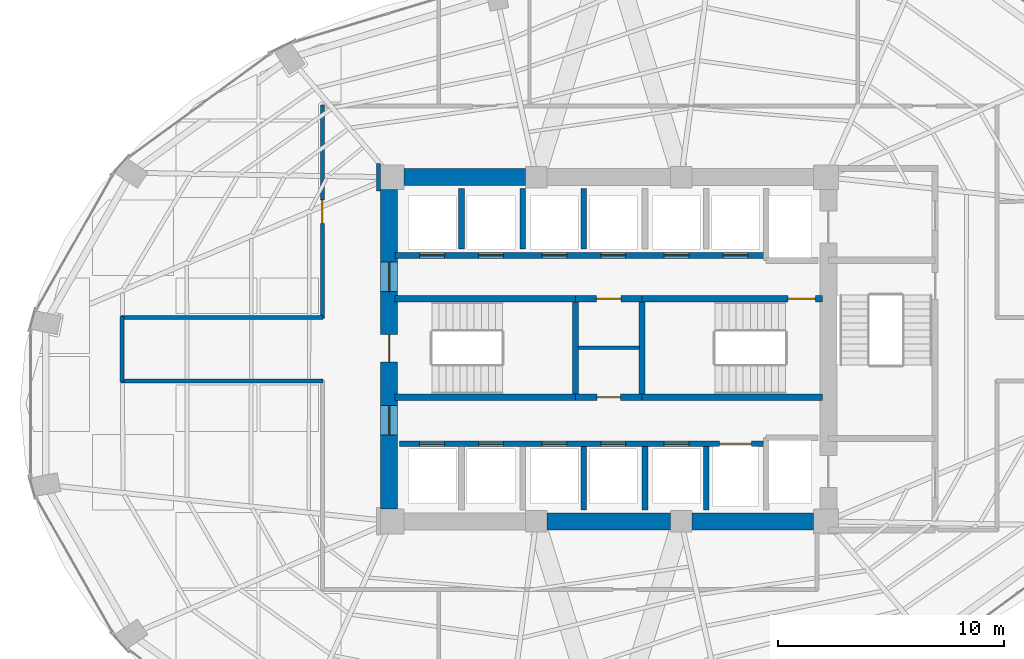
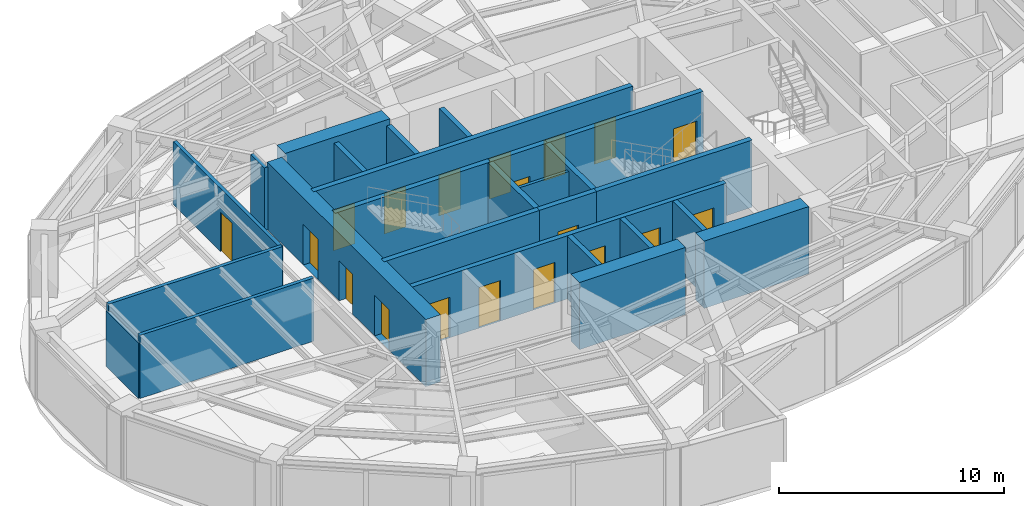
# One storey, part 19 of 23: 26 walls, 19 doors, 19 openings.
"""IFC4 building model written with IfcOpenShell, lengths in metres."""

from ifc_helpers import new_model, si_unit, direction, frame, frame_2d, origin, place, context, subcontext, project, spatial, rectangle, extrude, material, layer, layer_set, type_object, element, fill, save


model = new_model("IFC4")

# Units and contexts
model_context = context("Model", 3, precision=1e-05, world=origin(), true_north=direction((0.0, 1.0)))
body_context = subcontext(model_context, "Body", "Model", "MODEL_VIEW")
ifc_project = project(units=[si_unit("LENGTHUNIT", "METRE"), si_unit("AREAUNIT", "SQUARE_METRE"), si_unit("VOLUMEUNIT", "CUBIC_METRE"), si_unit("PLANEANGLEUNIT", "RADIAN"), si_unit("MASSUNIT", "GRAM", prefix="KILO")], contexts=[model_context])

# Site, building, storey
site_placement = place(None, origin())
site = spatial("IfcSite", under=ifc_project, at=site_placement, CompositionType="ELEMENT")
building_placement = place(site_placement, origin())
building = spatial("IfcBuilding", under=site, at=building_placement, Name="Lazwardi Medical Tower", CompositionType="ELEMENT")
storey_placement = place(building_placement, frame((0.0, 0.0, 125.52001953125)))
storey = spatial("IfcBuildingStorey", under=building, at=storey_placement, Name="L32", CompositionType="ELEMENT", Elevation=125.52001953125)

# Walls
ifc_material_1 = material(Name="Fire-rated gypsum board on steel stud", Category="steel")
ifc_layer_1 = layer(ifc_material_1, 0.179931640625)
ifc_layer_set_1 = layer_set([ifc_layer_1], Name="Fire-rated gypsum board on steel stud")
wall_type_1 = type_object("IfcWallType", Name="WL-COR-180", PredefinedType="PARTITIONING", material=ifc_layer_set_1)
wall_1_placement = place(storey_placement, frame((14.5, 26.56005859375, 0.0), z_axis=(0.0, 0.0, 1.0), x_axis=(0.0, 1.0, 0.0)))
element("IfcWall", 1, at=wall_1_placement, inside=storey, type_object=wall_type_1, Name="L32 Corridor partition 1", PredefinedType="PARTITIONING", context=body_context, shape_type="SweptSolid", body=[
    extrude(rectangle(XDim=2.8798828125, YDim=0.179931640625, at=frame_2d((1.43994140625, 0.0))), origin(), (0.0, 0.0, 1.0), 3.012939453125),
])
wall_2_placement = place(storey_placement, frame((14.4599609375, 29.39990234375, 0.0), z_axis=(0.0, 0.0, 1.0), x_axis=(1.0, 0.0, 0.0)))
element("IfcWall", 2, at=wall_2_placement, inside=storey, type_object=wall_type_1, Name="L32 Corridor partition 2", PredefinedType="PARTITIONING", context=body_context, shape_type="SweptSolid", body=[
    extrude(rectangle(XDim=8.929931640625, YDim=0.179931640625, at=frame_2d((4.46484375, 0.0))), origin(), (0.0, 0.0, 1.0), 3.427978515625),
])

# Wall, opening, door
wall_3_placement = place(storey_placement, frame((23.35009765625, 29.360107421875, 0.0), z_axis=(0.0, 0.0, 1.0), x_axis=(0.0, 1.0, 0.0)))
wall_3 = element("IfcWall", 3, at=wall_3_placement, inside=storey, type_object=wall_type_1, Name="L32 Corridor partition 3", PredefinedType="PARTITIONING", context=body_context, shape_type="SweptSolid", body=[
    extrude(rectangle(XDim=9.429931640625, YDim=0.179931640625, at=frame_2d((4.71484375, 0.0))), origin(), (0.0, 0.0, 1.0), 3.427978515625),
])
opening_1_placement = place(wall_3_placement, frame((4.18994140625, 0.0, 0.0)))
opening_1 = element("IfcOpeningElement", 4, at=opening_1_placement, cuts=wall_3, Name="Opening D-L32-007", PredefinedType="OPENING", context=body_context, shape_type="SweptSolid", body=[
    extrude(rectangle(XDim=1.050048828125, YDim=2.14990234375, at=frame_2d((0.52490234375, 1.074951171875))), frame((0.0, 0.099853515625, 0.0), z_axis=(0.0, -1.0, 0.0), x_axis=(1.0, 0.0, 0.0)), (0.0, 0.0, 1.0), 0.199951171875),
])
ifc_material_2 = material(Name="Anti-microbial laminate hospital leaf")
door_type_1 = type_object("IfcDoorType", Name="DR-CLN-1050", OperationType="NOTDEFINED", PredefinedType="DOOR", material=ifc_material_2)
door_1_placement = place(opening_1_placement, origin())
door_1 = element("IfcDoor", 5, at=door_1_placement, inside=storey, type_object=door_type_1, Name="L32 Medical Duty Staff Room Door 01", OperationType="SINGLE_SWING_LEFT", OverallHeight=2.14990234375, OverallWidth=1.050048828125, PredefinedType="DOOR", context=body_context, shape_type="SweptSolid", body=[
    extrude(rectangle(XDim=1.050048828125, YDim=2.14990234375, at=frame_2d((0.52490234375, 1.074951171875))), frame((0.0, 0.02490234375, 0.0), z_axis=(0.0, -1.0, 0.0), x_axis=(1.0, 0.0, 0.0)), (0.0, 0.0, 1.0), 0.050048828125),
])
fill(opening_1, door_1)

# Walls
wall_4_placement = place(storey_placement, frame((25.830078125, 36.2099609375, 0.0), z_axis=(0.0, 0.0, 1.0), x_axis=(0.0, -1.0, 0.0)))
element("IfcWall", 6, at=wall_4_placement, inside=storey, type_object=wall_type_1, Name="L32 Corridor partition 11", PredefinedType="PARTITIONING", context=body_context, shape_type="SweptSolid", body=[
    extrude(rectangle(XDim=1.219970703125, YDim=0.179931640625, at=frame_2d((0.60986328125, 0.0))), origin(), (0.0, 0.0, 1.0), 3.427978515625),
])
wall_5_placement = place(storey_placement, frame((23.389892578125, 26.60009765625, 0.0), z_axis=(0.0, 0.0, 1.0), x_axis=(-1.0, 0.0, 0.0)))
element("IfcWall", 7, at=wall_5_placement, inside=storey, type_object=wall_type_1, Name="L32 Corridor partition 16", PredefinedType="PARTITIONING", context=body_context, shape_type="SweptSolid", body=[
    extrude(rectangle(XDim=8.929931640625, YDim=0.179931640625, at=frame_2d((4.46484375, 0.0))), origin(), (0.0, 0.0, 1.0), 3.427978515625),
])

# Wall, openings, doors
ifc_material_3 = material(Name="Concrete C70/85", Category="concrete")
ifc_layer_2 = layer(ifc_material_3, 0.75)
ifc_layer_set_2 = layer_set([ifc_layer_2], Name="Concrete C70/85")
wall_type_2 = type_object("IfcWallType", Name="WL-CORE-750", PredefinedType="SHEAR", material=ifc_layer_set_2)
wall_6_placement = place(storey_placement, frame((26.300048828125, 20.949951171875, 0.0), z_axis=(0.0, 0.0, 1.0), x_axis=(0.0, 1.0, 0.0)))
wall_6 = element("IfcWall", 8, at=wall_6_placement, inside=storey, type_object=wall_type_2, Name="Core wall CW-S2 west L32", PredefinedType="SHEAR", context=body_context, shape_type="SweptSolid", body=[
    extrude(rectangle(XDim=14.10009765625, YDim=0.75, at=frame_2d((7.050048828125, 0.0))), origin(), (0.0, 0.0, 1.0), 3.64794921875),
])
opening_2_placement = place(wall_6_placement, frame((6.5, 0.0, 0.0)))
opening_2 = element("IfcOpeningElement", 9, at=opening_2_placement, cuts=wall_6, Name="Opening D-L32-012", PredefinedType="OPENING", context=body_context, shape_type="SweptSolid", body=[
    extrude(rectangle(XDim=1.199951171875, YDim=2.14990234375, at=frame_2d((0.60009765625, 1.074951171875))), frame((0.0, 0.385009765625, 0.0), z_axis=(0.0, -1.0, 0.0), x_axis=(1.0, 0.0, 0.0)), (0.0, 0.0, 1.0), 0.77001953125),
])
opening_3_placement = place(wall_6_placement, frame((9.60009765625, 0.0, 0.0)))
opening_3 = element("IfcOpeningElement", 10, at=opening_3_placement, cuts=wall_6, Name="Opening D-L32-005", PredefinedType="OPENING", context=body_context, shape_type="SweptSolid", body=[
    extrude(rectangle(XDim=1.300048828125, YDim=2.199951171875, at=frame_2d((0.64990234375, 1.10009765625))), frame((0.0, 0.385009765625, 0.0), z_axis=(0.0, -1.0, 0.0), x_axis=(1.0, 0.0, 0.0)), (0.0, 0.0, 1.0), 0.77001953125),
])
opening_4_placement = place(wall_6_placement, frame((3.260009765625, 0.0, 0.0)))
opening_4 = element("IfcOpeningElement", 11, at=opening_4_placement, cuts=wall_6, Name="Opening D-L32-006", PredefinedType="OPENING", context=body_context, shape_type="SweptSolid", body=[
    extrude(rectangle(XDim=1.300048828125, YDim=2.199951171875, at=frame_2d((0.64990234375, 1.10009765625))), frame((0.0, 0.385009765625, 0.0), z_axis=(0.0, -1.0, 0.0), x_axis=(1.0, 0.0, 0.0)), (0.0, 0.0, 1.0), 0.77001953125),
])
ifc_material_4 = material(Name="Fire-rated steel leaf and frame", Category="steel")
door_type_2 = type_object("IfcDoorType", Name="DR-FFL-1300", OperationType="NOTDEFINED", PredefinedType="DOOR", material=ifc_material_4)
door_2_placement = place(opening_3_placement, origin())
door_2 = element("IfcDoor", 12, at=door_2_placement, inside=storey, type_object=door_type_2, Name="L32 North Lift Lobby Door", OperationType="SINGLE_SWING_RIGHT", OverallHeight=2.199951171875, OverallWidth=1.300048828125, PredefinedType="DOOR", context=body_context, shape_type="SweptSolid", body=[
    extrude(rectangle(XDim=1.300048828125, YDim=2.199951171875, at=frame_2d((0.64990234375, 1.10009765625))), frame((0.0, 0.02490234375, 0.0), z_axis=(0.0, -1.0, 0.0), x_axis=(1.0, 0.0, 0.0)), (0.0, 0.0, 1.0), 0.050048828125),
])
fill(opening_3, door_2)
door_3_placement = place(opening_4_placement, origin())
door_3 = element("IfcDoor", 13, at=door_3_placement, inside=storey, type_object=door_type_2, Name="L32 South Lift Lobby Door", OperationType="SINGLE_SWING_LEFT", OverallHeight=2.199951171875, OverallWidth=1.300048828125, PredefinedType="DOOR", context=body_context, shape_type="SweptSolid", body=[
    extrude(rectangle(XDim=1.300048828125, YDim=2.199951171875, at=frame_2d((0.64990234375, 1.10009765625))), frame((0.0, 0.02490234375, 0.0), z_axis=(0.0, -1.0, 0.0), x_axis=(1.0, 0.0, 0.0)), (0.0, 0.0, 1.0), 0.050048828125),
])
fill(opening_4, door_3)
door_type_3 = type_object("IfcDoorType", Name="DR-STR-1200", OperationType="NOTDEFINED", PredefinedType="DOOR", material=ifc_material_4)
door_4_placement = place(opening_2_placement, origin())
door_4 = element("IfcDoor", 14, at=door_4_placement, inside=storey, type_object=door_type_3, Name="L32 Exit Stair ST1 Door", OperationType="SINGLE_SWING_RIGHT", OverallHeight=2.14990234375, OverallWidth=1.199951171875, PredefinedType="DOOR", context=body_context, shape_type="SweptSolid", body=[
    extrude(rectangle(XDim=1.199951171875, YDim=2.14990234375, at=frame_2d((0.60009765625, 1.074951171875))), frame((0.0, 0.02490234375, 0.0), z_axis=(0.0, -1.0, 0.0), x_axis=(1.0, 0.0, 0.0)), (0.0, 0.0, 1.0), 0.050048828125),
])
fill(opening_2, door_4)

# Walls
wall_7_placement = place(storey_placement, frame((26.949951171875, 35.60009765625, 0.0), z_axis=(0.0, 0.0, 1.0), x_axis=(1.0, 0.0, 0.0)))
element("IfcWall", 15, at=wall_7_placement, inside=storey, type_object=wall_type_2, Name="Core wall CW-S2 N1 L32", PredefinedType="SHEAR", context=body_context, shape_type="SweptSolid", body=[
    extrude(rectangle(XDim=5.375, YDim=0.75, at=frame_2d((2.6875, 0.0))), origin(), (0.0, 0.0, 1.0), 3.64794921875),
])
wall_8_placement = place(storey_placement, frame((33.27490234375, 20.39990234375, 0.0), z_axis=(0.0, 0.0, 1.0), x_axis=(1.0, 0.0, 0.0)))
element("IfcWall", 16, at=wall_8_placement, inside=storey, type_object=wall_type_2, Name="Core wall CW-S2 S2 L32", PredefinedType="SHEAR", context=body_context, shape_type="SweptSolid", body=[
    extrude(rectangle(XDim=5.4501953125, YDim=0.75, at=frame_2d((2.72509765625, 0.0))), origin(), (0.0, 0.0, 1.0), 3.64794921875),
])
wall_9_placement = place(storey_placement, frame((39.675048828125, 20.39990234375, 0.0), z_axis=(0.0, 0.0, 1.0), x_axis=(1.0, 0.0, 0.0)))
element("IfcWall", 17, at=wall_9_placement, inside=storey, type_object=wall_type_2, Name="Core wall CW-S2 S3 L32", PredefinedType="SHEAR", context=body_context, shape_type="SweptSolid", body=[
    extrude(rectangle(XDim=5.375, YDim=0.75, at=frame_2d((2.6875, 0.0))), origin(), (0.0, 0.0, 1.0), 3.64794921875),
])

# Wall, openings, doors
ifc_material_5 = material(Name="Autoclaved aerated concrete blockwork", Category="masonry")
ifc_layer_3 = layer(ifc_material_5, 0.25)
ifc_layer_set_3 = layer_set([ifc_layer_3], Name="Autoclaved aerated concrete blockwork")
wall_type_3 = type_object("IfcWallType", Name="WL-SHAFT-250", PredefinedType="SOLIDWALL", material=ifc_layer_set_3)
wall_10_placement = place(storey_placement, frame((26.75, 23.830078125, 0.0), z_axis=(0.0, 0.0, 1.0), x_axis=(1.0, 0.0, 0.0)))
wall_10 = element("IfcWall", 18, at=wall_10_placement, inside=storey, type_object=wall_type_3, Name="L32 South lift bank front wall", PredefinedType="SOLIDWALL", context=body_context, shape_type="SweptSolid", body=[
    extrude(rectangle(XDim=16.199951171875, YDim=0.25, at=frame_2d((8.10009765625, 0.0))), origin(), (0.0, 0.0, 1.0), 3.427978515625),
])
opening_5_placement = place(wall_10_placement, frame((0.89990234375, 0.0, 0.0)))
opening_5 = element("IfcOpeningElement", 19, at=opening_5_placement, cuts=wall_10, Name="Opening LD-L32-006", PredefinedType="OPENING", context=body_context, shape_type="SweptSolid", body=[
    extrude(rectangle(XDim=1.10009765625, YDim=2.199951171875, at=frame_2d((0.550048828125, 1.10009765625))), frame((0.0, 0.135009765625, 0.0), z_axis=(0.0, -1.0, 0.0), x_axis=(1.0, 0.0, 0.0)), (0.0, 0.0, 1.0), 0.27001953125),
])
opening_6_placement = place(wall_10_placement, frame((3.5, 0.0, 0.0)))
opening_6 = element("IfcOpeningElement", 20, at=opening_6_placement, cuts=wall_10, Name="Opening LD-L32-007", PredefinedType="OPENING", context=body_context, shape_type="SweptSolid", body=[
    extrude(rectangle(XDim=1.10009765625, YDim=2.199951171875, at=frame_2d((0.550048828125, 1.10009765625))), frame((0.0, 0.135009765625, 0.0), z_axis=(0.0, -1.0, 0.0), x_axis=(1.0, 0.0, 0.0)), (0.0, 0.0, 1.0), 0.27001953125),
])
opening_7_placement = place(wall_10_placement, frame((6.300048828125, 0.0, 0.0)))
opening_7 = element("IfcOpeningElement", 21, at=opening_7_placement, cuts=wall_10, Name="Opening LD-L32-010", PredefinedType="OPENING", context=body_context, shape_type="SweptSolid", body=[
    extrude(rectangle(XDim=1.10009765625, YDim=2.199951171875, at=frame_2d((0.550048828125, 1.10009765625))), frame((0.0, 0.135009765625, 0.0), z_axis=(0.0, -1.0, 0.0), x_axis=(1.0, 0.0, 0.0)), (0.0, 0.0, 1.0), 0.27001953125),
])
opening_8_placement = place(wall_10_placement, frame((8.89990234375, 0.0, 0.0)))
opening_8 = element("IfcOpeningElement", 22, at=opening_8_placement, cuts=wall_10, Name="Opening LD-L32-011", PredefinedType="OPENING", context=body_context, shape_type="SweptSolid", body=[
    extrude(rectangle(XDim=1.10009765625, YDim=2.199951171875, at=frame_2d((0.550048828125, 1.10009765625))), frame((0.0, 0.135009765625, 0.0), z_axis=(0.0, -1.0, 0.0), x_axis=(1.0, 0.0, 0.0)), (0.0, 0.0, 1.0), 0.27001953125),
])
opening_9_placement = place(wall_10_placement, frame((11.699951171875, 0.0, 0.0)))
opening_9 = element("IfcOpeningElement", 23, at=opening_9_placement, cuts=wall_10, Name="Opening LD-L32-014", PredefinedType="OPENING", context=body_context, shape_type="SweptSolid", body=[
    extrude(rectangle(XDim=1.10009765625, YDim=2.199951171875, at=frame_2d((0.550048828125, 1.10009765625))), frame((0.0, 0.135009765625, 0.0), z_axis=(0.0, -1.0, 0.0), x_axis=(1.0, 0.0, 0.0)), (0.0, 0.0, 1.0), 0.27001953125),
])
opening_10_placement = place(wall_10_placement, frame((14.14990234375, 0.0, 0.0)))
opening_10 = element("IfcOpeningElement", 24, at=opening_10_placement, cuts=wall_10, Name="Opening LD-L32-003", PredefinedType="OPENING", context=body_context, shape_type="SweptSolid", body=[
    extrude(rectangle(XDim=1.39990234375, YDim=2.300048828125, at=frame_2d((0.699951171875, 1.14990234375))), frame((0.0, 0.135009765625, 0.0), z_axis=(0.0, -1.0, 0.0), x_axis=(1.0, 0.0, 0.0)), (0.0, 0.0, 1.0), 0.27001953125),
])
ifc_material_6 = material(Name="Brushed bronze stainless steel landing door", Category="steel")
door_type_4 = type_object("IfcDoorType", Name="DR-LFT-1100", OperationType="NOTDEFINED", PredefinedType="DOOR", material=ifc_material_6)
door_5_placement = place(opening_5_placement, origin())
door_5 = element("IfcDoor", 25, at=door_5_placement, inside=storey, type_object=door_type_4, Name="L32 Lift Landing Door PL-03", OperationType="SLIDING_TO_LEFT", OverallHeight=2.199951171875, OverallWidth=1.10009765625, PredefinedType="DOOR", context=body_context, shape_type="SweptSolid", body=[
    extrude(rectangle(XDim=1.10009765625, YDim=2.199951171875, at=frame_2d((0.550048828125, 1.10009765625))), frame((0.0, 0.02490234375, 0.0), z_axis=(0.0, -1.0, 0.0), x_axis=(1.0, 0.0, 0.0)), (0.0, 0.0, 1.0), 0.050048828125),
])
fill(opening_5, door_5)
door_6_placement = place(opening_6_placement, origin())
door_6 = element("IfcDoor", 26, at=door_6_placement, inside=storey, type_object=door_type_4, Name="L32 Lift Landing Door PL-04", OperationType="SLIDING_TO_LEFT", OverallHeight=2.199951171875, OverallWidth=1.10009765625, PredefinedType="DOOR", context=body_context, shape_type="SweptSolid", body=[
    extrude(rectangle(XDim=1.10009765625, YDim=2.199951171875, at=frame_2d((0.550048828125, 1.10009765625))), frame((0.0, 0.02490234375, 0.0), z_axis=(0.0, -1.0, 0.0), x_axis=(1.0, 0.0, 0.0)), (0.0, 0.0, 1.0), 0.050048828125),
])
fill(opening_6, door_6)
door_7_placement = place(opening_7_placement, origin())
door_7 = element("IfcDoor", 27, at=door_7_placement, inside=storey, type_object=door_type_4, Name="L32 Lift Landing Door PL-07", OperationType="SLIDING_TO_LEFT", OverallHeight=2.199951171875, OverallWidth=1.10009765625, PredefinedType="DOOR", context=body_context, shape_type="SweptSolid", body=[
    extrude(rectangle(XDim=1.10009765625, YDim=2.199951171875, at=frame_2d((0.550048828125, 1.10009765625))), frame((0.0, 0.02490234375, 0.0), z_axis=(0.0, -1.0, 0.0), x_axis=(1.0, 0.0, 0.0)), (0.0, 0.0, 1.0), 0.050048828125),
])
fill(opening_7, door_7)
door_8_placement = place(opening_8_placement, origin())
door_8 = element("IfcDoor", 28, at=door_8_placement, inside=storey, type_object=door_type_4, Name="L32 Lift Landing Door PL-08", OperationType="SLIDING_TO_LEFT", OverallHeight=2.199951171875, OverallWidth=1.10009765625, PredefinedType="DOOR", context=body_context, shape_type="SweptSolid", body=[
    extrude(rectangle(XDim=1.10009765625, YDim=2.199951171875, at=frame_2d((0.550048828125, 1.10009765625))), frame((0.0, 0.02490234375, 0.0), z_axis=(0.0, -1.0, 0.0), x_axis=(1.0, 0.0, 0.0)), (0.0, 0.0, 1.0), 0.050048828125),
])
fill(opening_8, door_8)
door_9_placement = place(opening_9_placement, origin())
door_9 = element("IfcDoor", 29, at=door_9_placement, inside=storey, type_object=door_type_4, Name="L32 Lift Landing Door PL-11", OperationType="SLIDING_TO_LEFT", OverallHeight=2.199951171875, OverallWidth=1.10009765625, PredefinedType="DOOR", context=body_context, shape_type="SweptSolid", body=[
    extrude(rectangle(XDim=1.10009765625, YDim=2.199951171875, at=frame_2d((0.550048828125, 1.10009765625))), frame((0.0, 0.02490234375, 0.0), z_axis=(0.0, -1.0, 0.0), x_axis=(1.0, 0.0, 0.0)), (0.0, 0.0, 1.0), 0.050048828125),
])
fill(opening_9, door_9)
ifc_material_7 = material(Name="Brushed stainless steel bed-lift landing door", Category="steel")
door_type_5 = type_object("IfcDoorType", Name="DR-LFT-1400", OperationType="NOTDEFINED", PredefinedType="DOOR", material=ifc_material_7)
door_10_placement = place(opening_10_placement, origin())
door_10 = element("IfcDoor", 30, at=door_10_placement, inside=storey, type_object=door_type_5, Name="L32 Lift Landing Door FL-03", OperationType="SLIDING_TO_LEFT", OverallHeight=2.300048828125, OverallWidth=1.39990234375, PredefinedType="DOOR", context=body_context, shape_type="SweptSolid", body=[
    extrude(rectangle(XDim=1.39990234375, YDim=2.300048828125, at=frame_2d((0.699951171875, 1.14990234375))), frame((0.0, 0.02490234375, 0.0), z_axis=(0.0, -1.0, 0.0), x_axis=(1.0, 0.0, 0.0)), (0.0, 0.0, 1.0), 0.050048828125),
])
fill(opening_10, door_10)

# Walls
for number, where, z_axis, x_axis, name in (
    (31, (29.5, 32.419921875, 0.0), (0.0, 0.0, 1.0), (0.0, 1.0, 0.0), "L32 North hoistway divider"),
    (32, (32.199951171875, 32.419921875, 0.0), (0.0, 0.0, 1.0), (0.0, 1.0, 0.0), "L32 North hoistway divider"),
    (33, (34.89990234375, 32.419921875, 0.0), (0.0, 0.0, 1.0), (0.0, 1.0, 0.0), "L32 North hoistway divider"),
):
    element("IfcWall", number, at=place(storey_placement, frame(where, z_axis=z_axis, x_axis=x_axis)), inside=storey, type_object=wall_type_3, Name=name, PredefinedType="SOLIDWALL", context=body_context, shape_type="SweptSolid", body=[
        extrude(rectangle(XDim=2.68017578125, YDim=0.25, at=frame_2d((1.340087890625, 0.0))), origin(), (0.0, 0.0, 1.0), 3.427978515625),
    ])
for number, where, z_axis, x_axis, name in (
    (34, (34.89990234375, 20.89990234375, 0.0), (0.0, 0.0, 1.0), (0.0, 1.0, 0.0), "L32 South hoistway divider"),
    (35, (37.60009765625, 20.89990234375, 0.0), (0.0, 0.0, 1.0), (0.0, 1.0, 0.0), "L32 South hoistway divider"),
    (36, (40.300048828125, 20.89990234375, 0.0), (0.0, 0.0, 1.0), (0.0, 1.0, 0.0), "L32 South hoistway divider"),
):
    element("IfcWall", number, at=place(storey_placement, frame(where, z_axis=z_axis, x_axis=x_axis)), inside=storey, type_object=wall_type_3, Name=name, PredefinedType="SOLIDWALL", context=body_context, shape_type="SweptSolid", body=[
        extrude(rectangle(XDim=2.800048828125, YDim=0.25, at=frame_2d((1.39990234375, 0.0))), origin(), (0.0, 0.0, 1.0), 3.427978515625),
    ])
ifc_material_8 = material(Name="Concrete C50/60", Category="concrete")
ifc_layer_4 = layer(ifc_material_8, 0.27001953125)
ifc_layer_set_4 = layer_set([ifc_layer_4], Name="Concrete C50/60")
wall_type_4 = type_object("IfcWallType", Name="WL-STR-250", PredefinedType="SHEAR", material=ifc_layer_set_4)
wall_11_placement = place(storey_placement, frame((26.550048828125, 30.235107421875, 0.0), z_axis=(0.0, 0.0, 1.0), x_axis=(1.0, 0.0, 0.0)))
element("IfcWall", 37, at=wall_11_placement, inside=storey, type_object=wall_type_4, Name="L32 ST1 North shear shaft wall SW-S1", PredefinedType="SHEAR", context=body_context, shape_type="SweptSolid", body=[
    extrude(rectangle(XDim=7.98486328125, YDim=0.27001953125, at=frame_2d((3.992431640625, 0.0))), origin(), (0.0, 0.0, 1.0), 3.64794921875),
])

# Wall, opening, door
wall_12_placement = place(storey_placement, frame((34.534912109375, 30.235107421875, 0.0), z_axis=(0.0, 0.0, 1.0), x_axis=(1.0, 0.0, 0.0)))
wall_12 = element("IfcWall", 38, at=wall_12_placement, inside=storey, type_object=wall_type_4, Name="L32 Core service North shear wall SW-S1", PredefinedType="SHEAR", context=body_context, shape_type="SweptSolid", body=[
    extrude(rectangle(XDim=2.93017578125, YDim=0.27001953125, at=frame_2d((1.465087890625, 0.0))), origin(), (0.0, 0.0, 1.0), 3.64794921875),
])
opening_11_placement = place(wall_12_placement, frame((0.9150390625, 0.0, 0.0)))
opening_11 = element("IfcOpeningElement", 39, at=opening_11_placement, cuts=wall_12, Name="Opening D-L32-002", PredefinedType="OPENING", context=body_context, shape_type="SweptSolid", body=[
    extrude(rectangle(XDim=1.10009765625, YDim=2.14990234375, at=frame_2d((0.550048828125, 1.074951171875))), frame((0.0, 0.14501953125, 0.0), z_axis=(0.0, -1.0, 0.0), x_axis=(1.0, 0.0, 0.0)), (0.0, 0.0, 1.0), 0.2900390625),
])
door_type_6 = type_object("IfcDoorType", Name="DR-PLT-1100", OperationType="NOTDEFINED", PredefinedType="DOOR", material=ifc_material_4)
door_11_placement = place(opening_11_placement, origin())
door_11 = element("IfcDoor", 40, at=door_11_placement, inside=storey, type_object=door_type_6, Name="L32 Electrical Room Door", OperationType="SINGLE_SWING_LEFT", OverallHeight=2.14990234375, OverallWidth=1.10009765625, PredefinedType="DOOR", context=body_context, shape_type="SweptSolid", body=[
    extrude(rectangle(XDim=1.10009765625, YDim=2.14990234375, at=frame_2d((0.550048828125, 1.074951171875))), frame((0.0, 0.02490234375, 0.0), z_axis=(0.0, -1.0, 0.0), x_axis=(1.0, 0.0, 0.0)), (0.0, 0.0, 1.0), 0.050048828125),
])
fill(opening_11, door_11)

wall_13_placement = place(storey_placement, frame((37.465087890625, 30.235107421875, 0.0), z_axis=(0.0, 0.0, 1.0), x_axis=(1.0, 0.0, 0.0)))
wall_13 = element("IfcWall", 41, at=wall_13_placement, inside=storey, type_object=wall_type_4, Name="L32 ST2 North shear shaft wall SW-S1", PredefinedType="SHEAR", context=body_context, shape_type="SweptSolid", body=[
    extrude(rectangle(XDim=7.98486328125, YDim=0.27001953125, at=frame_2d((3.992431640625, 0.0))), origin(), (0.0, 0.0, 1.0), 3.64794921875),
])
opening_12_placement = place(wall_13_placement, frame((6.455078125, 0.0, 0.0)))
opening_12 = element("IfcOpeningElement", 42, at=opening_12_placement, cuts=wall_13, Name="Opening D-L32-013", PredefinedType="OPENING", context=body_context, shape_type="SweptSolid", body=[
    extrude(rectangle(XDim=1.199951171875, YDim=2.14990234375, at=frame_2d((0.60009765625, 1.074951171875))), frame((0.0, 0.14501953125, 0.0), z_axis=(0.0, -1.0, 0.0), x_axis=(1.0, 0.0, 0.0)), (0.0, 0.0, 1.0), 0.2900390625),
])
door_12_placement = place(opening_12_placement, origin())
door_12 = element("IfcDoor", 43, at=door_12_placement, inside=storey, type_object=door_type_3, Name="L32 Exit Stair ST2 Door", OperationType="SINGLE_SWING_LEFT", OverallHeight=2.14990234375, OverallWidth=1.199951171875, PredefinedType="DOOR", context=body_context, shape_type="SweptSolid", body=[
    extrude(rectangle(XDim=1.199951171875, YDim=2.14990234375, at=frame_2d((0.60009765625, 1.074951171875))), frame((0.0, 0.02490234375, 0.0), z_axis=(0.0, -1.0, 0.0), x_axis=(1.0, 0.0, 0.0)), (0.0, 0.0, 1.0), 0.050048828125),
])
fill(opening_12, door_12)

# Wall
wall_14_placement = place(storey_placement, frame((26.550048828125, 25.885009765625, 0.0), z_axis=(0.0, 0.0, 1.0), x_axis=(1.0, 0.0, 0.0)))
element("IfcWall", 44, at=wall_14_placement, inside=storey, type_object=wall_type_4, Name="L32 ST1 South shear shaft wall SW-S1", PredefinedType="SHEAR", context=body_context, shape_type="SweptSolid", body=[
    extrude(rectangle(XDim=7.98486328125, YDim=0.27001953125, at=frame_2d((3.992431640625, 0.0))), origin(), (0.0, 0.0, 1.0), 3.64794921875),
])

# Wall, opening, door
wall_15_placement = place(storey_placement, frame((34.534912109375, 25.885009765625, 0.0), z_axis=(0.0, 0.0, 1.0), x_axis=(1.0, 0.0, 0.0)))
wall_15 = element("IfcWall", 45, at=wall_15_placement, inside=storey, type_object=wall_type_4, Name="L32 Core service South shear wall SW-S1", PredefinedType="SHEAR", context=body_context, shape_type="SweptSolid", body=[
    extrude(rectangle(XDim=2.93017578125, YDim=0.27001953125, at=frame_2d((1.465087890625, 0.0))), origin(), (0.0, 0.0, 1.0), 3.64794921875),
])
opening_13_placement = place(wall_15_placement, frame((0.93994140625, 0.0, 0.0)))
opening_13 = element("IfcOpeningElement", 46, at=opening_13_placement, cuts=wall_15, Name="Opening D-L32-001", PredefinedType="OPENING", context=body_context, shape_type="SweptSolid", body=[
    extrude(rectangle(XDim=1.050048828125, YDim=2.14990234375, at=frame_2d((0.52490234375, 1.074951171875))), frame((0.0, 0.14501953125, 0.0), z_axis=(0.0, -1.0, 0.0), x_axis=(1.0, 0.0, 0.0)), (0.0, 0.0, 1.0), 0.2900390625),
])
door_13_placement = place(opening_13_placement, origin())
door_13 = element("IfcDoor", 47, at=door_13_placement, inside=storey, type_object=door_type_1, Name="L32 Dirty Sluice Door", OperationType="SINGLE_SWING_RIGHT", OverallHeight=2.14990234375, OverallWidth=1.050048828125, PredefinedType="DOOR", context=body_context, shape_type="SweptSolid", body=[
    extrude(rectangle(XDim=1.050048828125, YDim=2.14990234375, at=frame_2d((0.52490234375, 1.074951171875))), frame((0.0, 0.02490234375, 0.0), z_axis=(0.0, -1.0, 0.0), x_axis=(1.0, 0.0, 0.0)), (0.0, 0.0, 1.0), 0.050048828125),
])
fill(opening_13, door_13)

# Walls
wall_16_placement = place(storey_placement, frame((37.465087890625, 25.885009765625, 0.0), z_axis=(0.0, 0.0, 1.0), x_axis=(1.0, 0.0, 0.0)))
element("IfcWall", 48, at=wall_16_placement, inside=storey, type_object=wall_type_4, Name="L32 ST2 South shear shaft wall SW-S1", PredefinedType="SHEAR", context=body_context, shape_type="SweptSolid", body=[
    extrude(rectangle(XDim=7.98486328125, YDim=0.27001953125, at=frame_2d((3.992431640625, 0.0))), origin(), (0.0, 0.0, 1.0), 3.64794921875),
])
for number, where, z_axis, x_axis, name in (
    (49, (34.534912109375, 26.02001953125, 0.0), (0.0, 0.0, 1.0), (0.0, 1.0, 0.0), "L32 ST1 East shear shaft wall SW-S1"),
    (50, (37.465087890625, 26.02001953125, 0.0), (0.0, 0.0, 1.0), (0.0, 1.0, 0.0), "L32 ST2 West shear shaft wall SW-S1"),
):
    element("IfcWall", number, at=place(storey_placement, frame(where, z_axis=z_axis, x_axis=x_axis)), inside=storey, type_object=wall_type_4, Name=name, PredefinedType="SHEAR", context=body_context, shape_type="SweptSolid", body=[
        extrude(rectangle(XDim=4.080078125, YDim=0.27001953125, at=frame_2d((2.0400390625, 0.0))), origin(), (0.0, 0.0, 1.0), 3.64794921875),
    ])

# Wall, openings, doors
wall_17_placement = place(storey_placement, frame((26.550048828125, 32.14990234375, 0.0), z_axis=(0.0, 0.0, 1.0), x_axis=(1.0, 0.0, 0.0)))
wall_17 = element("IfcWall", 51, at=wall_17_placement, inside=storey, type_object=wall_type_4, Name="L32 North lift bank shear wall SW-S1", PredefinedType="SHEAR", context=body_context, shape_type="SweptSolid", body=[
    extrude(rectangle(XDim=16.39990234375, YDim=0.27001953125, at=frame_2d((8.199951171875, 0.0))), origin(), (0.0, 0.0, 1.0), 3.64794921875),
])
opening_14_placement = place(wall_17_placement, frame((1.10009765625, 0.0, 0.0)))
opening_14 = element("IfcOpeningElement", 52, at=opening_14_placement, cuts=wall_17, Name="Opening LD-L32-004", PredefinedType="OPENING", context=body_context, shape_type="SweptSolid", body=[
    extrude(rectangle(XDim=1.10009765625, YDim=2.199951171875, at=frame_2d((0.550048828125, 1.10009765625))), frame((0.0, 0.14501953125, 0.0), z_axis=(0.0, -1.0, 0.0), x_axis=(1.0, 0.0, 0.0)), (0.0, 0.0, 1.0), 0.2900390625),
])
opening_15_placement = place(wall_17_placement, frame((3.699951171875, 0.0, 0.0)))
opening_15 = element("IfcOpeningElement", 53, at=opening_15_placement, cuts=wall_17, Name="Opening LD-L32-005", PredefinedType="OPENING", context=body_context, shape_type="SweptSolid", body=[
    extrude(rectangle(XDim=1.10009765625, YDim=2.199951171875, at=frame_2d((0.550048828125, 1.10009765625))), frame((0.0, 0.14501953125, 0.0), z_axis=(0.0, -1.0, 0.0), x_axis=(1.0, 0.0, 0.0)), (0.0, 0.0, 1.0), 0.2900390625),
])
opening_16_placement = place(wall_17_placement, frame((6.5, 0.0, 0.0)))
opening_16 = element("IfcOpeningElement", 54, at=opening_16_placement, cuts=wall_17, Name="Opening LD-L32-008", PredefinedType="OPENING", context=body_context, shape_type="SweptSolid", body=[
    extrude(rectangle(XDim=1.10009765625, YDim=2.199951171875, at=frame_2d((0.550048828125, 1.10009765625))), frame((0.0, 0.14501953125, 0.0), z_axis=(0.0, -1.0, 0.0), x_axis=(1.0, 0.0, 0.0)), (0.0, 0.0, 1.0), 0.2900390625),
])
opening_17_placement = place(wall_17_placement, frame((9.10009765625, 0.0, 0.0)))
opening_17 = element("IfcOpeningElement", 55, at=opening_17_placement, cuts=wall_17, Name="Opening LD-L32-009", PredefinedType="OPENING", context=body_context, shape_type="SweptSolid", body=[
    extrude(rectangle(XDim=1.10009765625, YDim=2.199951171875, at=frame_2d((0.550048828125, 1.10009765625))), frame((0.0, 0.14501953125, 0.0), z_axis=(0.0, -1.0, 0.0), x_axis=(1.0, 0.0, 0.0)), (0.0, 0.0, 1.0), 0.2900390625),
])
opening_18_placement = place(wall_17_placement, frame((11.89990234375, 0.0, 0.0)))
opening_18 = element("IfcOpeningElement", 56, at=opening_18_placement, cuts=wall_17, Name="Opening LD-L32-012", PredefinedType="OPENING", context=body_context, shape_type="SweptSolid", body=[
    extrude(rectangle(XDim=1.10009765625, YDim=2.199951171875, at=frame_2d((0.550048828125, 1.10009765625))), frame((0.0, 0.14501953125, 0.0), z_axis=(0.0, -1.0, 0.0), x_axis=(1.0, 0.0, 0.0)), (0.0, 0.0, 1.0), 0.2900390625),
])
opening_19_placement = place(wall_17_placement, frame((14.5, 0.0, 0.0)))
opening_19 = element("IfcOpeningElement", 57, at=opening_19_placement, cuts=wall_17, Name="Opening LD-L32-013", PredefinedType="OPENING", context=body_context, shape_type="SweptSolid", body=[
    extrude(rectangle(XDim=1.10009765625, YDim=2.199951171875, at=frame_2d((0.550048828125, 1.10009765625))), frame((0.0, 0.14501953125, 0.0), z_axis=(0.0, -1.0, 0.0), x_axis=(1.0, 0.0, 0.0)), (0.0, 0.0, 1.0), 0.2900390625),
])
door_14_placement = place(opening_14_placement, origin())
door_14 = element("IfcDoor", 58, at=door_14_placement, inside=storey, type_object=door_type_4, Name="L32 Lift Landing Door PL-01", OperationType="SLIDING_TO_LEFT", OverallHeight=2.199951171875, OverallWidth=1.10009765625, PredefinedType="DOOR", context=body_context, shape_type="SweptSolid", body=[
    extrude(rectangle(XDim=1.10009765625, YDim=2.199951171875, at=frame_2d((0.550048828125, 1.10009765625))), frame((0.0, 0.02490234375, 0.0), z_axis=(0.0, -1.0, 0.0), x_axis=(1.0, 0.0, 0.0)), (0.0, 0.0, 1.0), 0.050048828125),
])
fill(opening_14, door_14)
door_15_placement = place(opening_15_placement, origin())
door_15 = element("IfcDoor", 59, at=door_15_placement, inside=storey, type_object=door_type_4, Name="L32 Lift Landing Door PL-02", OperationType="SLIDING_TO_LEFT", OverallHeight=2.199951171875, OverallWidth=1.10009765625, PredefinedType="DOOR", context=body_context, shape_type="SweptSolid", body=[
    extrude(rectangle(XDim=1.10009765625, YDim=2.199951171875, at=frame_2d((0.550048828125, 1.10009765625))), frame((0.0, 0.02490234375, 0.0), z_axis=(0.0, -1.0, 0.0), x_axis=(1.0, 0.0, 0.0)), (0.0, 0.0, 1.0), 0.050048828125),
])
fill(opening_15, door_15)
door_16_placement = place(opening_16_placement, origin())
door_16 = element("IfcDoor", 60, at=door_16_placement, inside=storey, type_object=door_type_4, Name="L32 Lift Landing Door PL-05", OperationType="SLIDING_TO_LEFT", OverallHeight=2.199951171875, OverallWidth=1.10009765625, PredefinedType="DOOR", context=body_context, shape_type="SweptSolid", body=[
    extrude(rectangle(XDim=1.10009765625, YDim=2.199951171875, at=frame_2d((0.550048828125, 1.10009765625))), frame((0.0, 0.02490234375, 0.0), z_axis=(0.0, -1.0, 0.0), x_axis=(1.0, 0.0, 0.0)), (0.0, 0.0, 1.0), 0.050048828125),
])
fill(opening_16, door_16)
door_17_placement = place(opening_17_placement, origin())
door_17 = element("IfcDoor", 61, at=door_17_placement, inside=storey, type_object=door_type_4, Name="L32 Lift Landing Door PL-06", OperationType="SLIDING_TO_LEFT", OverallHeight=2.199951171875, OverallWidth=1.10009765625, PredefinedType="DOOR", context=body_context, shape_type="SweptSolid", body=[
    extrude(rectangle(XDim=1.10009765625, YDim=2.199951171875, at=frame_2d((0.550048828125, 1.10009765625))), frame((0.0, 0.02490234375, 0.0), z_axis=(0.0, -1.0, 0.0), x_axis=(1.0, 0.0, 0.0)), (0.0, 0.0, 1.0), 0.050048828125),
])
fill(opening_17, door_17)
door_18_placement = place(opening_18_placement, origin())
door_18 = element("IfcDoor", 62, at=door_18_placement, inside=storey, type_object=door_type_4, Name="L32 Lift Landing Door PL-09", OperationType="SLIDING_TO_LEFT", OverallHeight=2.199951171875, OverallWidth=1.10009765625, PredefinedType="DOOR", context=body_context, shape_type="SweptSolid", body=[
    extrude(rectangle(XDim=1.10009765625, YDim=2.199951171875, at=frame_2d((0.550048828125, 1.10009765625))), frame((0.0, 0.02490234375, 0.0), z_axis=(0.0, -1.0, 0.0), x_axis=(1.0, 0.0, 0.0)), (0.0, 0.0, 1.0), 0.050048828125),
])
fill(opening_18, door_18)
door_19_placement = place(opening_19_placement, origin())
door_19 = element("IfcDoor", 63, at=door_19_placement, inside=storey, type_object=door_type_4, Name="L32 Lift Landing Door PL-10", OperationType="SLIDING_TO_LEFT", OverallHeight=2.199951171875, OverallWidth=1.10009765625, PredefinedType="DOOR", context=body_context, shape_type="SweptSolid", body=[
    extrude(rectangle(XDim=1.10009765625, YDim=2.199951171875, at=frame_2d((0.550048828125, 1.10009765625))), frame((0.0, 0.02490234375, 0.0), z_axis=(0.0, -1.0, 0.0), x_axis=(1.0, 0.0, 0.0)), (0.0, 0.0, 1.0), 0.050048828125),
])
fill(opening_19, door_19)

# Wall
ifc_material_9 = material(Name="Acoustic gypsum board partition")
ifc_layer_5 = layer(ifc_material_9, 0.14990234375)
ifc_layer_set_5 = layer_set([ifc_layer_5], Name="Acoustic gypsum board partition")
wall_type_5 = type_object("IfcWallType", Name="WL-WRD-150", PredefinedType="PARTITIONING", material=ifc_layer_set_5)
wall_18_placement = place(storey_placement, frame((34.64990234375, 28.06005859375, 0.0), z_axis=(0.0, 0.0, 1.0), x_axis=(1.0, 0.0, 0.0)))
element("IfcWall", 64, at=wall_18_placement, inside=storey, type_object=wall_type_5, Name="L32 Core service divider", PredefinedType="PARTITIONING", context=body_context, shape_type="SweptSolid", body=[
    extrude(rectangle(XDim=2.7001953125, YDim=0.14990234375, at=frame_2d((1.35009765625, 0.0))), origin(), (0.0, 0.0, 1.0), 3.427978515625),
])

save(model, "model.ifc")
